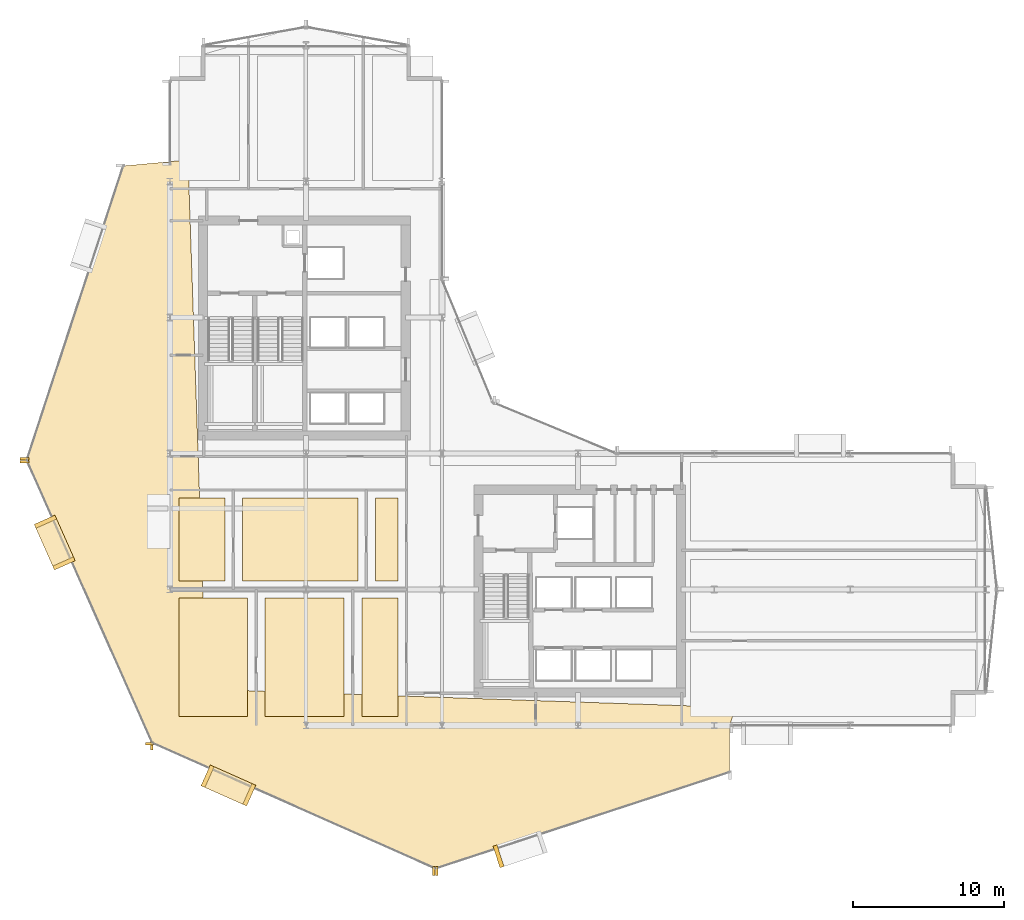
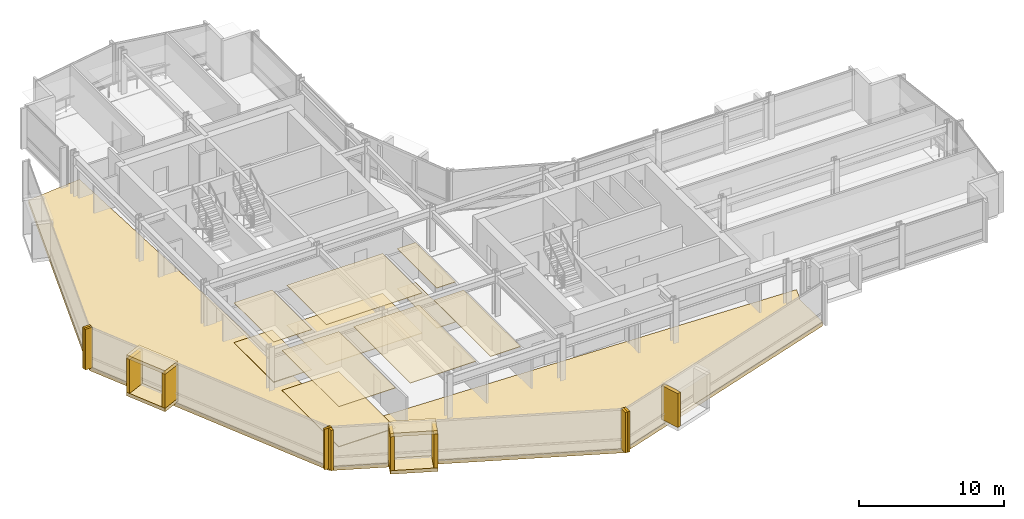
# One storey, part 30 of 34: 26 coverings.
"""IFC4 building model written with IfcOpenShell, lengths in metres."""

from ifc_helpers import new_model, si_unit, direction, frame, origin, origin_2d, place, context, subcontext, project, spatial, polyline, rectangle, outline, extrude, material, layer, layer_set, type_object, element, save


model = new_model("IFC4")

# Units and contexts
model_context = context("Model", 3, precision=1e-05, world=origin(), true_north=direction((0.0, 1.0)))
body_context = subcontext(model_context, "Body", "Model", "MODEL_VIEW")
ifc_project = project(units=[si_unit("LENGTHUNIT", "METRE"), si_unit("AREAUNIT", "SQUARE_METRE"), si_unit("VOLUMEUNIT", "CUBIC_METRE"), si_unit("PLANEANGLEUNIT", "RADIAN"), si_unit("MASSUNIT", "GRAM", prefix="KILO")], contexts=[model_context])

# Site, building, storey
site_placement = place(None, origin())
site = spatial("IfcSite", under=ifc_project, at=site_placement, CompositionType="ELEMENT")
building_placement = place(site_placement, origin())
building = spatial("IfcBuilding", under=site, at=building_placement, Name="Solvaryn Broadcast Tower", CompositionType="ELEMENT")
storey_placement = place(building_placement, frame((0.0, 0.0, 73.0)))
storey = spatial("IfcBuildingStorey", under=building, at=storey_placement, Name="L17", CompositionType="ELEMENT", Elevation=73.0)

# Coverings
ifc_material_1 = material(Name="Micro-Perforated Acoustic Gypsum Ceiling", Category="concrete")
ifc_layer_1 = layer(ifc_material_1, 0.0400390625)
ifc_layer_set_1 = layer_set([ifc_layer_1], Name="CV-CEIL-ACOUSTIC")
covering_type_1 = type_object("IfcCoveringType", Name="CV-CEIL-ACOUSTIC", PredefinedType="CEILING", material=ifc_layer_set_1)
covering_1_placement = place(storey_placement, frame((0.0, 0.0, 3.3798828125)))
element("IfcCovering", 1, at=covering_1_placement, inside=storey, type_object=covering_type_1, Name="L17 Room Acoustic Ceiling 1", PredefinedType="CEILING", context=body_context, shape_type="SweptSolid", body=[
    extrude(outline(polyline([(9.60009765625, 18.570068359375), (12.6298828125, 18.570068359375), (12.6298828125, 24.050048828125), (9.60009765625, 24.050048828125), (9.60009765625, 18.570068359375)])), origin(), (0.0, 0.0, 1.0), 0.0400390625),
])
covering_2_placement = place(storey_placement, frame((0.0, 0.0, 3.3798828125)))
element("IfcCovering", 2, at=covering_2_placement, inside=storey, type_object=covering_type_1, Name="L17 Room Acoustic Ceiling 2", PredefinedType="CEILING", context=body_context, shape_type="SweptSolid", body=[
    extrude(outline(polyline([(13.800048828125, 18.570068359375), (21.429931640625, 18.570068359375), (21.429931640625, 24.050048828125), (13.800048828125, 24.050048828125), (13.800048828125, 18.570068359375)])), origin(), (0.0, 0.0, 1.0), 0.0400390625),
])
covering_3_placement = place(storey_placement, frame((0.0, 0.0, 3.3798828125)))
element("IfcCovering", 3, at=covering_3_placement, inside=storey, type_object=covering_type_1, Name="L17 Room Acoustic Ceiling 3", PredefinedType="CEILING", context=body_context, shape_type="SweptSolid", body=[
    extrude(outline(polyline([(22.60009765625, 18.570068359375), (24.080078125, 18.570068359375), (24.080078125, 24.050048828125), (22.60009765625, 24.050048828125), (22.60009765625, 18.570068359375)])), origin(), (0.0, 0.0, 1.0), 0.0400390625),
])
covering_4_placement = place(storey_placement, frame((0.0, 0.0, 3.3798828125)))
element("IfcCovering", 4, at=covering_4_placement, inside=storey, type_object=covering_type_1, Name="L17 Room Acoustic Ceiling 4", PredefinedType="CEILING", context=body_context, shape_type="SweptSolid", body=[
    extrude(outline(polyline([(9.60009765625, 9.60009765625), (14.1298828125, 9.60009765625), (14.1298828125, 17.429931640625), (9.60009765625, 17.429931640625), (9.60009765625, 9.60009765625)])), origin(), (0.0, 0.0, 1.0), 0.0400390625),
])
covering_5_placement = place(storey_placement, frame((0.0, 0.0, 3.3798828125)))
element("IfcCovering", 5, at=covering_5_placement, inside=storey, type_object=covering_type_1, Name="L17 Room Acoustic Ceiling 5", PredefinedType="CEILING", context=body_context, shape_type="SweptSolid", body=[
    extrude(outline(polyline([(15.300048828125, 9.60009765625), (20.530029296875, 9.60009765625), (20.530029296875, 17.429931640625), (15.300048828125, 17.429931640625), (15.300048828125, 9.60009765625)])), origin(), (0.0, 0.0, 1.0), 0.0400390625),
])
covering_6_placement = place(storey_placement, frame((0.0, 0.0, 3.3798828125)))
element("IfcCovering", 6, at=covering_6_placement, inside=storey, type_object=covering_type_1, Name="L17 Room Acoustic Ceiling 6", PredefinedType="CEILING", context=body_context, shape_type="SweptSolid", body=[
    extrude(outline(polyline([(21.699951171875, 9.60009765625), (24.080078125, 9.60009765625), (24.080078125, 17.429931640625), (21.699951171875, 17.429931640625), (21.699951171875, 9.60009765625)])), origin(), (0.0, 0.0, 1.0), 0.0400390625),
])
ifc_material_2 = material(Name="Newsroom Raised Data Access Flooring", Category="steel")
ifc_layer_2 = layer(ifc_material_2, 0.050048828125)
ifc_layer_set_2 = layer_set([ifc_layer_2], Name="CV-FLOOR-RAISED")
covering_type_2 = type_object("IfcCoveringType", Name="CV-FLOOR-RAISED", PredefinedType="FLOORING", material=ifc_layer_set_2)
covering_7_placement = place(storey_placement, origin())
element("IfcCovering", 7, at=covering_7_placement, inside=storey, type_object=covering_type_2, Name="L17 Room Acoustic Floor Finish 1", PredefinedType="FLOORING", context=body_context, shape_type="SweptSolid", body=[
    extrude(outline(polyline([(9.60009765625, 18.570068359375), (12.6298828125, 18.570068359375), (12.6298828125, 24.050048828125), (9.60009765625, 24.050048828125), (9.60009765625, 18.570068359375)])), origin(), (0.0, 0.0, 1.0), 0.050048828125),
])
covering_8_placement = place(storey_placement, origin())
element("IfcCovering", 8, at=covering_8_placement, inside=storey, type_object=covering_type_2, Name="L17 Room Acoustic Floor Finish 2", PredefinedType="FLOORING", context=body_context, shape_type="SweptSolid", body=[
    extrude(outline(polyline([(13.800048828125, 18.570068359375), (21.429931640625, 18.570068359375), (21.429931640625, 24.050048828125), (13.800048828125, 24.050048828125), (13.800048828125, 18.570068359375)])), origin(), (0.0, 0.0, 1.0), 0.050048828125),
])
covering_9_placement = place(storey_placement, origin())
element("IfcCovering", 9, at=covering_9_placement, inside=storey, type_object=covering_type_2, Name="L17 Room Acoustic Floor Finish 3", PredefinedType="FLOORING", context=body_context, shape_type="SweptSolid", body=[
    extrude(outline(polyline([(22.60009765625, 18.570068359375), (24.080078125, 18.570068359375), (24.080078125, 24.050048828125), (22.60009765625, 24.050048828125), (22.60009765625, 18.570068359375)])), origin(), (0.0, 0.0, 1.0), 0.050048828125),
])
covering_10_placement = place(storey_placement, origin())
element("IfcCovering", 10, at=covering_10_placement, inside=storey, type_object=covering_type_2, Name="L17 Room Acoustic Floor Finish 4", PredefinedType="FLOORING", context=body_context, shape_type="SweptSolid", body=[
    extrude(outline(polyline([(9.60009765625, 9.60009765625), (14.1298828125, 9.60009765625), (14.1298828125, 17.429931640625), (9.60009765625, 17.429931640625), (9.60009765625, 9.60009765625)])), origin(), (0.0, 0.0, 1.0), 0.050048828125),
])
ifc_material_3 = material(Name="Glazed Architectural Terracotta Rainscreen Cladding", Category="masonry")
ifc_layer_3 = layer(ifc_material_3, 0.280029296875)
ifc_layer_set_3 = layer_set([ifc_layer_3], Name="CV-TC-CLAD")
covering_type_3 = type_object("IfcCoveringType", Name="CV-TC-CLAD", PredefinedType="CLADDING", material=ifc_layer_set_3)
for number, where, z_axis, x_axis, name in (
    (11, (1.37890625, 21.10498046875, 3.1298828125), (0.0, 0.0, 1.0), (0.405939269498, -0.913900054426, 0.0), "L17 Projecting Stone Window Box Hood 2"),
    (12, (1.37890625, 21.10498046875, -0.01025390625), (0.0, 0.0, 1.0), (0.405939269498, -0.913900054426, 0.0), "L17 Projecting Stone Window Box Sill 2"),
):
    element("IfcCovering", number, at=place(storey_placement, frame(where, z_axis=z_axis, x_axis=x_axis)), inside=storey, type_object=covering_type_3, Name=name, PredefinedType="CLADDING", context=body_context, shape_type="SweptSolid", body=[
        extrude(rectangle(XDim=3.300048828125, YDim=1.5, at=origin_2d()), origin(), (0.0, 0.0, 1.0), 0.300048828125),
    ])
for number, where, z_axis, x_axis, name in (
    (13, (0.76611328125, 22.485107421875, 0.27978515625), (0.0, 0.0, 1.0), (0.405939269498, -0.913900054426, 0.0), "L17 Projecting Stone Window Box Cheek 2-1"),
    (14, (1.991943359375, 19.72509765625, 0.27978515625), (0.0, 0.0, 1.0), (0.405939269498, -0.913900054426, 0.0), "L17 Projecting Stone Window Box Cheek 2-2"),
):
    element("IfcCovering", number, at=place(storey_placement, frame(where, z_axis=z_axis, x_axis=x_axis)), inside=storey, type_object=covering_type_3, Name=name, PredefinedType="CLADDING", context=body_context, shape_type="SweptSolid", body=[
        extrude(rectangle(XDim=0.280029296875, YDim=1.5, at=origin_2d()), origin(), (0.0, 0.0, 1.0), 2.860107421875),
    ])
for number, where, z_axis, x_axis, name in (
    (15, (12.8720703125, 5.035888671875, 3.1298828125), (0.0, 0.0, 1.0), (0.913900054426, -0.405939269498, 0.0), "L17 Projecting Stone Window Box Hood 3"),
    (16, (12.8720703125, 5.035888671875, -0.01025390625), (0.0, 0.0, 1.0), (0.913900054426, -0.405939269498, 0.0), "L17 Projecting Stone Window Box Sill 3"),
):
    element("IfcCovering", number, at=place(storey_placement, frame(where, z_axis=z_axis, x_axis=x_axis)), inside=storey, type_object=covering_type_3, Name=name, PredefinedType="CLADDING", context=body_context, shape_type="SweptSolid", body=[
        extrude(rectangle(XDim=3.300048828125, YDim=1.5, at=origin_2d()), origin(), (0.0, 0.0, 1.0), 0.300048828125),
    ])
for number, where, z_axis, x_axis, name in (
    (17, (11.491943359375, 5.64892578125, 0.27978515625), (0.0, 0.0, 1.0), (0.913900054426, -0.405939269498, 0.0), "L17 Projecting Stone Window Box Cheek 3-1"),
    (18, (14.251953125, 4.423095703125, 0.27978515625), (0.0, 0.0, 1.0), (0.913900054426, -0.405939269498, 0.0), "L17 Projecting Stone Window Box Cheek 3-2"),
    (19, (30.73828125, 0.348388671875, 0.27978515625), (0.0, 0.0, 1.0), (0.950189870912, 0.311671636848, 0.0), "L17 Projecting Stone Window Box Cheek 4-1"),
):
    element("IfcCovering", number, at=place(storey_placement, frame(where, z_axis=z_axis, x_axis=x_axis)), inside=storey, type_object=covering_type_3, Name=name, PredefinedType="CLADDING", context=body_context, shape_type="SweptSolid", body=[
        extrude(rectangle(XDim=0.280029296875, YDim=1.5, at=origin_2d()), origin(), (0.0, 0.0, 1.0), 2.860107421875),
    ])
ifc_material_4 = material(Name="Extruded Architectural Terracotta Fin", Category="masonry")
ifc_layer_4 = layer(ifc_material_4, 0.179931640625)
ifc_layer_set_4 = layer_set([ifc_layer_4], Name="CV-TC-FIN")
covering_type_4 = type_object("IfcCoveringType", Name="CV-TC-FIN", PredefinedType="USERDEFINED", material=ifc_layer_set_4)
for number, where, z_axis, x_axis, name in (
    (20, (-0.625732421875, 26.644775390625, 0.0), (0.0, 0.0, 1.0), (1.0, 0.0, 0.0), "L17 Terracotta Vertical Fin FIN-L17-DR1-M01"),
    (21, (-0.6162109375, 26.459716796875, 0.0), (0.0, 0.0, 1.0), (1.0, 0.0, 0.0), "L17 Terracotta Vertical Fin FIN-L17-DR2-M00"),
    (22, (7.670654296875, 7.8017578125, 0.0), (0.0, 0.0, 1.0), (1.0, 0.0, 0.0), "L17 Terracotta Vertical Fin FIN-L17-DR2-M01"),
):
    element("IfcCovering", number, at=place(storey_placement, frame(where, z_axis=z_axis, x_axis=x_axis)), inside=storey, type_object=covering_type_4, Name=name, ObjectType="FIN", PredefinedType="USERDEFINED", context=body_context, shape_type="SweptSolid", body=[
        extrude(rectangle(XDim=0.580078125, YDim=0.179931640625, at=origin_2d()), origin(), (0.0, 0.0, 1.0), 3.419921875),
    ])
for number, where, z_axis, x_axis, name in (
    (23, (7.8017578125, 7.670654296875, 0.0), (0.0, 0.0, 1.0), (1.0, 0.0, 0.0), "L17 Terracotta Vertical Fin FIN-L17-DR3-M00"),
    (24, (26.459716796875, -0.6162109375, 0.0), (0.0, 0.0, 1.0), (1.0, 0.0, 0.0), "L17 Terracotta Vertical Fin FIN-L17-DR3-M01"),
    (25, (26.644775390625, -0.625732421875, 0.0), (0.0, 0.0, 1.0), (1.0, 0.0, 0.0), "L17 Terracotta Vertical Fin FIN-L17-DR4-M00"),
):
    element("IfcCovering", number, at=place(storey_placement, frame(where, z_axis=z_axis, x_axis=x_axis)), inside=storey, type_object=covering_type_4, Name=name, ObjectType="FIN", PredefinedType="USERDEFINED", context=body_context, shape_type="SweptSolid", body=[
        extrude(rectangle(XDim=0.179931640625, YDim=0.580078125, at=origin_2d()), origin(), (0.0, 0.0, 1.0), 3.419921875),
    ])
ifc_material_5 = material(Name="Sculpted Architectural Terracotta Wave Fascia", Category="masonry")
ifc_layer_5 = layer(ifc_material_5, 0.340087890625)
ifc_layer_set_5 = layer_set([ifc_layer_5], Name="CV-WAVE-TRAY")
covering_type_5 = type_object("IfcCoveringType", Name="CV-WAVE-TRAY", PredefinedType="CLADDING", material=ifc_layer_set_5)
covering_11_placement = place(storey_placement, frame((0.0, 0.0, -0.300048828125)))
element("IfcCovering", 26, at=covering_11_placement, inside=storey, type_object=covering_type_5, Name="L17 Stepped Cylindrical Drum Floor Apron", PredefinedType="CLADDING", context=body_context, shape_type="SweptSolid", body=[
    extrude(outline(polyline([(10.199951171875, 46.416015625), (5.916015625, 46.01611328125), (-0.464111328125, 26.56005859375), (7.846923828125, 7.846923828125), (26.56005859375, -0.464111328125), (46.01611328125, 5.916015625), (46.01611328125, 9.0), (46.416015625, 10.199951171875), (11.39990234375, 11.39990234375), (10.199951171875, 46.416015625)])), origin(), (0.0, 0.0, 1.0), 0.330078125),
])

save(model, "model.ifc")
